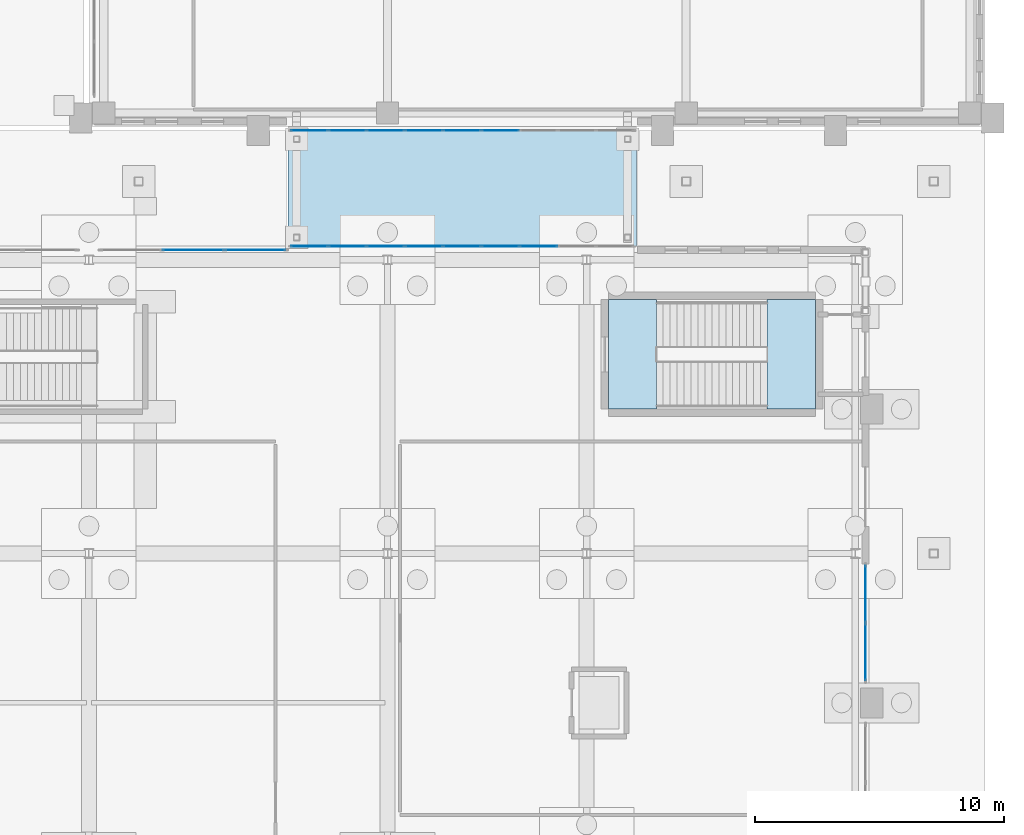
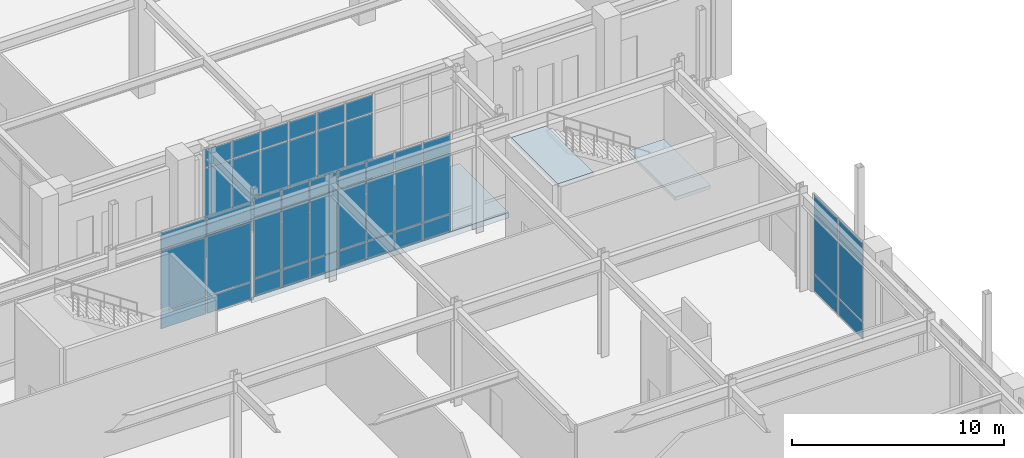
# One storey, part 94 of 143: 51 plates, 3 slabs, 5 elements without a shape of their own.
"""IFC4 building model written with IfcOpenShell, lengths in metres."""

from ifc_helpers import new_model, si_unit, derived_unit, direction, frame, origin, origin_2d, place, context, subcontext, project, spatial, polyline, rectangle, outline, extrude, material, layer, layer_set, type_object, element, aggregate, save


model = new_model("IFC4")

# Units and contexts
model_context = context("Model", 3, precision=1e-05, world=origin(), true_north=direction((0.0, 1.0)))
body_context = subcontext(model_context, "Body", "Model", "MODEL_VIEW")
ifc_project = project(units=[si_unit("LENGTHUNIT", "METRE"), si_unit("AREAUNIT", "SQUARE_METRE"), si_unit("VOLUMEUNIT", "CUBIC_METRE"), si_unit("PLANEANGLEUNIT", "RADIAN"), si_unit("MASSUNIT", "GRAM", prefix="KILO"), derived_unit("THERMALTRANSMITTANCEUNIT", [(si_unit("MASSUNIT", "GRAM", prefix="KILO"), 1), (si_unit("TIMEUNIT", "SECOND"), -3), (si_unit("THERMODYNAMICTEMPERATUREUNIT", "KELVIN"), -1)])], contexts=[model_context])

# Site, building, storey
site_placement = place(None, origin())
site = spatial("IfcSite", under=ifc_project, at=site_placement, CompositionType="ELEMENT")
building_placement = place(site_placement, origin())
building = spatial("IfcBuilding", under=site, at=building_placement, Name="Valcora Ridge Arena", CompositionType="ELEMENT")
storey_placement = place(building_placement, origin())
storey = spatial("IfcBuildingStorey", under=building, at=storey_placement, Name="L00", CompositionType="ELEMENT", Elevation=0.0)

# Stair, slabs
ifc_material_1 = material(Name="Concrete C40/50", Category="concrete")
stair_type = type_object("IfcStairType", Name="TY-STAIR-ST12-60", PredefinedType="HALF_TURN_STAIR", material=ifc_material_1)
stair_placement = place(storey_placement, origin())
stair = element("IfcStair", 1, at=stair_placement, inside=storey, type_object=stair_type, Name="ST12-60 STR-CR-0047", PredefinedType="HALF_TURN_STAIR")
ifc_layer_1 = layer(ifc_material_1, 0.199951171875, Name="Concrete C40/50")
ifc_layer_set_1 = layer_set([ifc_layer_1], Name="Concrete C40/50")
slab_type_1 = type_object("IfcSlabType", Name="TY-LAND-ST12-60", PredefinedType="LANDING", material=ifc_layer_set_1)
slab_1_placement = place(storey_placement, frame((0.0, 0.0, 2.800048828125)))
slab_1 = element("IfcSlab", 2, at=slab_1_placement, type_object=slab_type_1, Name="ST12-60 landing 1", PredefinedType="LANDING", context=body_context, shape_type="SweptSolid", body=[
    extrude(outline(polyline([(183.25, 71.802001953125), (185.197998046875, 71.802001953125), (185.197998046875, 76.197998046875), (183.25, 76.197998046875), (183.25, 71.802001953125)])), origin(), (0.0, 0.0, 1.0), 0.199951171875),
])
slab_2_placement = place(storey_placement, frame((0.0, 0.0, 5.800048828125)))
slab_2 = element("IfcSlab", 3, at=slab_2_placement, type_object=slab_type_1, Name="ST12-60 landing 2", PredefinedType="LANDING", context=body_context, shape_type="SweptSolid", body=[
    extrude(outline(polyline([(176.882080078125, 71.802001953125), (178.81005859375, 71.802001953125), (178.81005859375, 76.197998046875), (176.882080078125, 76.197998046875), (176.882080078125, 71.802001953125)])), origin(), (0.0, 0.0, 1.0), 0.199951171875),
])
aggregate(stair, [slab_1, slab_2])

# Curtain wall, plate
ifc_material_2 = material(Name="Anodised dark bronze architectural aluminium 6063-T6", Category="aluminium")
ifc_layer_2 = layer(ifc_material_2, 0.14990234375, Name="Anodised dark bronze architectural aluminium 6063-T6")
ifc_layer_set_2 = layer_set([ifc_layer_2], Name="Anodised dark bronze architectural aluminium 6063-T6")
curtain_wall_type_1 = type_object("IfcCurtainWallType", Name="TY-CURTAINWALL-CW-BRG-138X57", PredefinedType="NOTDEFINED", material=ifc_layer_set_2)
curtain_wall_1_placement = place(storey_placement, origin())
curtain_wall_1 = element("IfcCurtainWall", 4, at=curtain_wall_1_placement, inside=storey, type_object=curtain_wall_type_1, Name="CW-BRG-138X57 CW-0354", PredefinedType="NOTDEFINED")
ifc_material_3 = material(Name="Low-iron solar-control double glazing SHGC 0.28", Category="glass")
ifc_layer_3 = layer(ifc_material_3, 0.028076171875, Name="Low-iron solar-control double glazing SHGC 0.28")
ifc_layer_set_3 = layer_set([ifc_layer_3], Name="Low-iron solar-control double glazing SHGC 0.28")
plate_type_1 = type_object("IfcPlateType", Name="TY-PLT-CWP-1463X0975", PredefinedType="CURTAIN_PANEL", material=ifc_layer_set_3)
plate_1_placement = place(storey_placement, frame((164.861572265625, 78.35009765625, 0.050048828125), z_axis=(0.0, 0.0, 1.0), x_axis=(1.0, 0.0, 0.0)))
plate_1 = element("IfcPlate", 5, at=plate_1_placement, type_object=plate_type_1, Name="CW-0354/P00-00", PredefinedType="CURTAIN_PANEL", context=body_context, shape_type="SweptSolid", body=[
    extrude(rectangle(XDim=1.462890625, YDim=0.028076171875, at=origin_2d()), origin(), (0.0, 0.0, 1.0), 0.97509765625),
])

curtain_wall_2_placement = place(storey_placement, origin())
curtain_wall_2 = element("IfcCurtainWall", 6, at=curtain_wall_2_placement, inside=storey, type_object=curtain_wall_type_1, Name="CW-BRG-138X57 CW-0355", PredefinedType="NOTDEFINED")
plate_2_placement = place(storey_placement, frame((164.861572265625, 83.0, 0.050048828125), z_axis=(0.0, 0.0, 1.0), x_axis=(1.0, 0.0, 0.0)))
plate_2 = element("IfcPlate", 7, at=plate_2_placement, type_object=plate_type_1, Name="CW-0355/P00-00", PredefinedType="CURTAIN_PANEL", context=body_context, shape_type="SweptSolid", body=[
    extrude(rectangle(XDim=1.462890625, YDim=0.028076171875, at=origin_2d()), origin(), (0.0, 0.0, 1.0), 0.97509765625),
])

# Plate
ifc_layer_4 = layer(ifc_material_3, 0.028076171875, Name="Low-iron solar-control double glazing SHGC 0.28")
ifc_layer_set_4 = layer_set([ifc_layer_4], Name="Low-iron solar-control double glazing SHGC 0.28")
plate_type_2 = type_object("IfcPlateType", Name="TY-PLT-CWP-1463X1025", PredefinedType="CURTAIN_PANEL", material=ifc_layer_set_4)
plate_3_placement = place(storey_placement, frame((164.861572265625, 78.35009765625, 4.60498046875), z_axis=(0.0, 0.0, 1.0), x_axis=(1.0, 0.0, 0.0)))
plate_3 = element("IfcPlate", 8, at=plate_3_placement, type_object=plate_type_2, Name="CW-0354/P00-02", PredefinedType="CURTAIN_PANEL", context=body_context, shape_type="SweptSolid", body=[
    extrude(rectangle(XDim=1.462890625, YDim=0.028076171875, at=origin_2d()), origin(), (0.0, 0.0, 1.0), 1.02490234375),
])

plate_4_placement = place(storey_placement, frame((164.861572265625, 83.0, 4.60498046875), z_axis=(0.0, 0.0, 1.0), x_axis=(1.0, 0.0, 0.0)))
plate_4 = element("IfcPlate", 9, at=plate_4_placement, type_object=plate_type_2, Name="CW-0355/P00-02", PredefinedType="CURTAIN_PANEL", context=body_context, shape_type="SweptSolid", body=[
    extrude(rectangle(XDim=1.462890625, YDim=0.028076171875, at=origin_2d()), origin(), (0.0, 0.0, 1.0), 1.02490234375),
])

ifc_layer_5 = layer(ifc_material_3, 0.028076171875, Name="Low-iron solar-control double glazing SHGC 0.28")
ifc_layer_set_5 = layer_set([ifc_layer_5], Name="Low-iron solar-control double glazing SHGC 0.28")
plate_type_3 = type_object("IfcPlateType", Name="TY-PLT-CWP-1463X3480", PredefinedType="CURTAIN_PANEL", material=ifc_layer_set_5)
plate_5_placement = place(storey_placement, frame((164.861572265625, 78.35009765625, 1.074951171875), z_axis=(0.0, 0.0, 1.0), x_axis=(1.0, 0.0, 0.0)))
plate_5 = element("IfcPlate", 10, at=plate_5_placement, type_object=plate_type_3, Name="CW-0354/P00-01", PredefinedType="CURTAIN_PANEL", context=body_context, shape_type="SweptSolid", body=[
    extrude(rectangle(XDim=1.462890625, YDim=0.028076171875, at=origin_2d()), origin(), (0.0, 0.0, 1.0), 3.47998046875),
])

plate_6_placement = place(storey_placement, frame((164.861572265625, 83.0, 1.074951171875), z_axis=(0.0, 0.0, 1.0), x_axis=(1.0, 0.0, 0.0)))
plate_6 = element("IfcPlate", 11, at=plate_6_placement, type_object=plate_type_3, Name="CW-0355/P00-01", PredefinedType="CURTAIN_PANEL", context=body_context, shape_type="SweptSolid", body=[
    extrude(rectangle(XDim=1.462890625, YDim=0.028076171875, at=origin_2d()), origin(), (0.0, 0.0, 1.0), 3.47998046875),
])

ifc_layer_6 = layer(ifc_material_3, 0.028076171875, Name="Low-iron solar-control double glazing SHGC 0.28")
ifc_layer_set_6 = layer_set([ifc_layer_6], Name="Low-iron solar-control double glazing SHGC 0.28")
plate_type_4 = type_object("IfcPlateType", Name="TY-PLT-CWP-1487X0975", PredefinedType="CURTAIN_PANEL", material=ifc_layer_set_6)
plate_7_placement = place(storey_placement, frame((167.924560546875, 78.35009765625, 0.050048828125), z_axis=(0.0, 0.0, 1.0), x_axis=(1.0, 0.0, 0.0)))
plate_7 = element("IfcPlate", 12, at=plate_7_placement, type_object=plate_type_4, Name="CW-0354/P02-00", PredefinedType="CURTAIN_PANEL", context=body_context, shape_type="SweptSolid", body=[
    extrude(rectangle(XDim=1.487060546875, YDim=0.028076171875, at=origin_2d()), origin(), (0.0, 0.0, 1.0), 0.97509765625),
])

plate_8_placement = place(storey_placement, frame((174.075439453125, 78.35009765625, 0.050048828125), z_axis=(0.0, 0.0, 1.0), x_axis=(1.0, 0.0, 0.0)))
plate_8 = element("IfcPlate", 13, at=plate_8_placement, type_object=plate_type_4, Name="CW-0354/P06-00", PredefinedType="CURTAIN_PANEL", context=body_context, shape_type="SweptSolid", body=[
    extrude(rectangle(XDim=1.487060546875, YDim=0.028076171875, at=origin_2d()), origin(), (0.0, 0.0, 1.0), 0.97509765625),
])

plate_9_placement = place(storey_placement, frame((167.924560546875, 83.0, 0.050048828125), z_axis=(0.0, 0.0, 1.0), x_axis=(1.0, 0.0, 0.0)))
plate_9 = element("IfcPlate", 14, at=plate_9_placement, type_object=plate_type_4, Name="CW-0355/P02-00", PredefinedType="CURTAIN_PANEL", context=body_context, shape_type="SweptSolid", body=[
    extrude(rectangle(XDim=1.487060546875, YDim=0.028076171875, at=origin_2d()), origin(), (0.0, 0.0, 1.0), 0.97509765625),
])

ifc_layer_7 = layer(ifc_material_3, 0.028076171875, Name="Low-iron solar-control double glazing SHGC 0.28")
ifc_layer_set_7 = layer_set([ifc_layer_7], Name="Low-iron solar-control double glazing SHGC 0.28")
plate_type_5 = type_object("IfcPlateType", Name="TY-PLT-CWP-1487X1025", PredefinedType="CURTAIN_PANEL", material=ifc_layer_set_7)
plate_10_placement = place(storey_placement, frame((167.924560546875, 78.35009765625, 4.60498046875), z_axis=(0.0, 0.0, 1.0), x_axis=(1.0, 0.0, 0.0)))
plate_10 = element("IfcPlate", 15, at=plate_10_placement, type_object=plate_type_5, Name="CW-0354/P02-02", PredefinedType="CURTAIN_PANEL", context=body_context, shape_type="SweptSolid", body=[
    extrude(rectangle(XDim=1.487060546875, YDim=0.028076171875, at=origin_2d()), origin(), (0.0, 0.0, 1.0), 1.02490234375),
])

plate_11_placement = place(storey_placement, frame((174.075439453125, 78.35009765625, 4.60498046875), z_axis=(0.0, 0.0, 1.0), x_axis=(1.0, 0.0, 0.0)))
plate_11 = element("IfcPlate", 16, at=plate_11_placement, type_object=plate_type_5, Name="CW-0354/P06-02", PredefinedType="CURTAIN_PANEL", context=body_context, shape_type="SweptSolid", body=[
    extrude(rectangle(XDim=1.487060546875, YDim=0.028076171875, at=origin_2d()), origin(), (0.0, 0.0, 1.0), 1.02490234375),
])

plate_12_placement = place(storey_placement, frame((167.924560546875, 83.0, 4.60498046875), z_axis=(0.0, 0.0, 1.0), x_axis=(1.0, 0.0, 0.0)))
plate_12 = element("IfcPlate", 17, at=plate_12_placement, type_object=plate_type_5, Name="CW-0355/P02-02", PredefinedType="CURTAIN_PANEL", context=body_context, shape_type="SweptSolid", body=[
    extrude(rectangle(XDim=1.487060546875, YDim=0.028076171875, at=origin_2d()), origin(), (0.0, 0.0, 1.0), 1.02490234375),
])

ifc_layer_8 = layer(ifc_material_3, 0.028076171875, Name="Low-iron solar-control double glazing SHGC 0.28")
ifc_layer_set_8 = layer_set([ifc_layer_8], Name="Low-iron solar-control double glazing SHGC 0.28")
plate_type_6 = type_object("IfcPlateType", Name="TY-PLT-CWP-1487X3480", PredefinedType="CURTAIN_PANEL", material=ifc_layer_set_8)
plate_13_placement = place(storey_placement, frame((167.924560546875, 78.35009765625, 1.074951171875), z_axis=(0.0, 0.0, 1.0), x_axis=(1.0, 0.0, 0.0)))
plate_13 = element("IfcPlate", 18, at=plate_13_placement, type_object=plate_type_6, Name="CW-0354/P02-01", PredefinedType="CURTAIN_PANEL", context=body_context, shape_type="SweptSolid", body=[
    extrude(rectangle(XDim=1.487060546875, YDim=0.028076171875, at=origin_2d()), origin(), (0.0, 0.0, 1.0), 3.47998046875),
])

plate_14_placement = place(storey_placement, frame((174.075439453125, 78.35009765625, 1.074951171875), z_axis=(0.0, 0.0, 1.0), x_axis=(1.0, 0.0, 0.0)))
plate_14 = element("IfcPlate", 19, at=plate_14_placement, type_object=plate_type_6, Name="CW-0354/P06-01", PredefinedType="CURTAIN_PANEL", context=body_context, shape_type="SweptSolid", body=[
    extrude(rectangle(XDim=1.487060546875, YDim=0.028076171875, at=origin_2d()), origin(), (0.0, 0.0, 1.0), 3.47998046875),
])

plate_15_placement = place(storey_placement, frame((167.924560546875, 83.0, 1.074951171875), z_axis=(0.0, 0.0, 1.0), x_axis=(1.0, 0.0, 0.0)))
plate_15 = element("IfcPlate", 20, at=plate_15_placement, type_object=plate_type_6, Name="CW-0355/P02-01", PredefinedType="CURTAIN_PANEL", context=body_context, shape_type="SweptSolid", body=[
    extrude(rectangle(XDim=1.487060546875, YDim=0.028076171875, at=origin_2d()), origin(), (0.0, 0.0, 1.0), 3.47998046875),
])

ifc_layer_9 = layer(ifc_material_3, 0.028076171875, Name="Low-iron solar-control double glazing SHGC 0.28")
ifc_layer_set_9 = layer_set([ifc_layer_9], Name="Low-iron solar-control double glazing SHGC 0.28")
plate_type_7 = type_object("IfcPlateType", Name="TY-PLT-CWP-1488X0975", PredefinedType="CURTAIN_PANEL", material=ifc_layer_set_9)
plate_16_placement = place(storey_placement, frame((166.386962890625, 78.35009765625, 0.050048828125), z_axis=(0.0, 0.0, 1.0), x_axis=(1.0, 0.0, 0.0)))
plate_16 = element("IfcPlate", 21, at=plate_16_placement, type_object=plate_type_7, Name="CW-0354/P01-00", PredefinedType="CURTAIN_PANEL", context=body_context, shape_type="SweptSolid", body=[
    extrude(rectangle(XDim=1.488037109375, YDim=0.028076171875, at=origin_2d()), origin(), (0.0, 0.0, 1.0), 0.97509765625),
])

plate_17_placement = place(storey_placement, frame((169.4619140625, 78.35009765625, 0.050048828125), z_axis=(0.0, 0.0, 1.0), x_axis=(1.0, 0.0, 0.0)))
plate_17 = element("IfcPlate", 22, at=plate_17_placement, type_object=plate_type_7, Name="CW-0354/P03-00", PredefinedType="CURTAIN_PANEL", context=body_context, shape_type="SweptSolid", body=[
    extrude(rectangle(XDim=1.488037109375, YDim=0.028076171875, at=origin_2d()), origin(), (0.0, 0.0, 1.0), 0.97509765625),
])

plate_18_placement = place(storey_placement, frame((171.0, 78.35009765625, 0.050048828125), z_axis=(0.0, 0.0, 1.0), x_axis=(1.0, 0.0, 0.0)))
plate_18 = element("IfcPlate", 23, at=plate_18_placement, type_object=plate_type_7, Name="CW-0354/P04-00", PredefinedType="CURTAIN_PANEL", context=body_context, shape_type="SweptSolid", body=[
    extrude(rectangle(XDim=1.488037109375, YDim=0.028076171875, at=origin_2d()), origin(), (0.0, 0.0, 1.0), 0.97509765625),
])

plate_19_placement = place(storey_placement, frame((172.5380859375, 78.35009765625, 0.050048828125), z_axis=(0.0, 0.0, 1.0), x_axis=(1.0, 0.0, 0.0)))
plate_19 = element("IfcPlate", 24, at=plate_19_placement, type_object=plate_type_7, Name="CW-0354/P05-00", PredefinedType="CURTAIN_PANEL", context=body_context, shape_type="SweptSolid", body=[
    extrude(rectangle(XDim=1.488037109375, YDim=0.028076171875, at=origin_2d()), origin(), (0.0, 0.0, 1.0), 0.97509765625),
])

plate_20_placement = place(storey_placement, frame((166.386962890625, 83.0, 0.050048828125), z_axis=(0.0, 0.0, 1.0), x_axis=(1.0, 0.0, 0.0)))
plate_20 = element("IfcPlate", 25, at=plate_20_placement, type_object=plate_type_7, Name="CW-0355/P01-00", PredefinedType="CURTAIN_PANEL", context=body_context, shape_type="SweptSolid", body=[
    extrude(rectangle(XDim=1.488037109375, YDim=0.028076171875, at=origin_2d()), origin(), (0.0, 0.0, 1.0), 0.97509765625),
])

plate_21_placement = place(storey_placement, frame((169.4619140625, 83.0, 0.050048828125), z_axis=(0.0, 0.0, 1.0), x_axis=(1.0, 0.0, 0.0)))
plate_21 = element("IfcPlate", 26, at=plate_21_placement, type_object=plate_type_7, Name="CW-0355/P03-00", PredefinedType="CURTAIN_PANEL", context=body_context, shape_type="SweptSolid", body=[
    extrude(rectangle(XDim=1.488037109375, YDim=0.028076171875, at=origin_2d()), origin(), (0.0, 0.0, 1.0), 0.97509765625),
])

plate_22_placement = place(storey_placement, frame((171.0, 83.0, 0.050048828125), z_axis=(0.0, 0.0, 1.0), x_axis=(1.0, 0.0, 0.0)))
plate_22 = element("IfcPlate", 27, at=plate_22_placement, type_object=plate_type_7, Name="CW-0355/P04-00", PredefinedType="CURTAIN_PANEL", context=body_context, shape_type="SweptSolid", body=[
    extrude(rectangle(XDim=1.488037109375, YDim=0.028076171875, at=origin_2d()), origin(), (0.0, 0.0, 1.0), 0.97509765625),
])

plate_23_placement = place(storey_placement, frame((172.5380859375, 83.0, 0.050048828125), z_axis=(0.0, 0.0, 1.0), x_axis=(1.0, 0.0, 0.0)))
plate_23 = element("IfcPlate", 28, at=plate_23_placement, type_object=plate_type_7, Name="CW-0355/P05-00", PredefinedType="CURTAIN_PANEL", context=body_context, shape_type="SweptSolid", body=[
    extrude(rectangle(XDim=1.488037109375, YDim=0.028076171875, at=origin_2d()), origin(), (0.0, 0.0, 1.0), 0.97509765625),
])

ifc_layer_10 = layer(ifc_material_3, 0.028076171875, Name="Low-iron solar-control double glazing SHGC 0.28")
ifc_layer_set_10 = layer_set([ifc_layer_10], Name="Low-iron solar-control double glazing SHGC 0.28")
plate_type_8 = type_object("IfcPlateType", Name="TY-PLT-CWP-1488X1025", PredefinedType="CURTAIN_PANEL", material=ifc_layer_set_10)
plate_24_placement = place(storey_placement, frame((166.386962890625, 78.35009765625, 4.60498046875), z_axis=(0.0, 0.0, 1.0), x_axis=(1.0, 0.0, 0.0)))
plate_24 = element("IfcPlate", 29, at=plate_24_placement, type_object=plate_type_8, Name="CW-0354/P01-02", PredefinedType="CURTAIN_PANEL", context=body_context, shape_type="SweptSolid", body=[
    extrude(rectangle(XDim=1.488037109375, YDim=0.028076171875, at=origin_2d()), origin(), (0.0, 0.0, 1.0), 1.02490234375),
])

plate_25_placement = place(storey_placement, frame((169.4619140625, 78.35009765625, 4.60498046875), z_axis=(0.0, 0.0, 1.0), x_axis=(1.0, 0.0, 0.0)))
plate_25 = element("IfcPlate", 30, at=plate_25_placement, type_object=plate_type_8, Name="CW-0354/P03-02", PredefinedType="CURTAIN_PANEL", context=body_context, shape_type="SweptSolid", body=[
    extrude(rectangle(XDim=1.488037109375, YDim=0.028076171875, at=origin_2d()), origin(), (0.0, 0.0, 1.0), 1.02490234375),
])

plate_26_placement = place(storey_placement, frame((171.0, 78.35009765625, 4.60498046875), z_axis=(0.0, 0.0, 1.0), x_axis=(1.0, 0.0, 0.0)))
plate_26 = element("IfcPlate", 31, at=plate_26_placement, type_object=plate_type_8, Name="CW-0354/P04-02", PredefinedType="CURTAIN_PANEL", context=body_context, shape_type="SweptSolid", body=[
    extrude(rectangle(XDim=1.488037109375, YDim=0.028076171875, at=origin_2d()), origin(), (0.0, 0.0, 1.0), 1.02490234375),
])

plate_27_placement = place(storey_placement, frame((172.5380859375, 78.35009765625, 4.60498046875), z_axis=(0.0, 0.0, 1.0), x_axis=(1.0, 0.0, 0.0)))
plate_27 = element("IfcPlate", 32, at=plate_27_placement, type_object=plate_type_8, Name="CW-0354/P05-02", PredefinedType="CURTAIN_PANEL", context=body_context, shape_type="SweptSolid", body=[
    extrude(rectangle(XDim=1.488037109375, YDim=0.028076171875, at=origin_2d()), origin(), (0.0, 0.0, 1.0), 1.02490234375),
])

plate_28_placement = place(storey_placement, frame((166.386962890625, 83.0, 4.60498046875), z_axis=(0.0, 0.0, 1.0), x_axis=(1.0, 0.0, 0.0)))
plate_28 = element("IfcPlate", 33, at=plate_28_placement, type_object=plate_type_8, Name="CW-0355/P01-02", PredefinedType="CURTAIN_PANEL", context=body_context, shape_type="SweptSolid", body=[
    extrude(rectangle(XDim=1.488037109375, YDim=0.028076171875, at=origin_2d()), origin(), (0.0, 0.0, 1.0), 1.02490234375),
])

plate_29_placement = place(storey_placement, frame((169.4619140625, 83.0, 4.60498046875), z_axis=(0.0, 0.0, 1.0), x_axis=(1.0, 0.0, 0.0)))
plate_29 = element("IfcPlate", 34, at=plate_29_placement, type_object=plate_type_8, Name="CW-0355/P03-02", PredefinedType="CURTAIN_PANEL", context=body_context, shape_type="SweptSolid", body=[
    extrude(rectangle(XDim=1.488037109375, YDim=0.028076171875, at=origin_2d()), origin(), (0.0, 0.0, 1.0), 1.02490234375),
])

plate_30_placement = place(storey_placement, frame((171.0, 83.0, 4.60498046875), z_axis=(0.0, 0.0, 1.0), x_axis=(1.0, 0.0, 0.0)))
plate_30 = element("IfcPlate", 35, at=plate_30_placement, type_object=plate_type_8, Name="CW-0355/P04-02", PredefinedType="CURTAIN_PANEL", context=body_context, shape_type="SweptSolid", body=[
    extrude(rectangle(XDim=1.488037109375, YDim=0.028076171875, at=origin_2d()), origin(), (0.0, 0.0, 1.0), 1.02490234375),
])

plate_31_placement = place(storey_placement, frame((172.5380859375, 83.0, 4.60498046875), z_axis=(0.0, 0.0, 1.0), x_axis=(1.0, 0.0, 0.0)))
plate_31 = element("IfcPlate", 36, at=plate_31_placement, type_object=plate_type_8, Name="CW-0355/P05-02", PredefinedType="CURTAIN_PANEL", context=body_context, shape_type="SweptSolid", body=[
    extrude(rectangle(XDim=1.488037109375, YDim=0.028076171875, at=origin_2d()), origin(), (0.0, 0.0, 1.0), 1.02490234375),
])

ifc_layer_11 = layer(ifc_material_3, 0.028076171875, Name="Low-iron solar-control double glazing SHGC 0.28")
ifc_layer_set_11 = layer_set([ifc_layer_11], Name="Low-iron solar-control double glazing SHGC 0.28")
plate_type_9 = type_object("IfcPlateType", Name="TY-PLT-CWP-1488X3480", PredefinedType="CURTAIN_PANEL", material=ifc_layer_set_11)
plate_32_placement = place(storey_placement, frame((166.386962890625, 78.35009765625, 1.074951171875), z_axis=(0.0, 0.0, 1.0), x_axis=(1.0, 0.0, 0.0)))
plate_32 = element("IfcPlate", 37, at=plate_32_placement, type_object=plate_type_9, Name="CW-0354/P01-01", PredefinedType="CURTAIN_PANEL", context=body_context, shape_type="SweptSolid", body=[
    extrude(rectangle(XDim=1.488037109375, YDim=0.028076171875, at=origin_2d()), origin(), (0.0, 0.0, 1.0), 3.47998046875),
])

plate_33_placement = place(storey_placement, frame((169.4619140625, 78.35009765625, 1.074951171875), z_axis=(0.0, 0.0, 1.0), x_axis=(1.0, 0.0, 0.0)))
plate_33 = element("IfcPlate", 38, at=plate_33_placement, type_object=plate_type_9, Name="CW-0354/P03-01", PredefinedType="CURTAIN_PANEL", context=body_context, shape_type="SweptSolid", body=[
    extrude(rectangle(XDim=1.488037109375, YDim=0.028076171875, at=origin_2d()), origin(), (0.0, 0.0, 1.0), 3.47998046875),
])

plate_34_placement = place(storey_placement, frame((171.0, 78.35009765625, 1.074951171875), z_axis=(0.0, 0.0, 1.0), x_axis=(1.0, 0.0, 0.0)))
plate_34 = element("IfcPlate", 39, at=plate_34_placement, type_object=plate_type_9, Name="CW-0354/P04-01", PredefinedType="CURTAIN_PANEL", context=body_context, shape_type="SweptSolid", body=[
    extrude(rectangle(XDim=1.488037109375, YDim=0.028076171875, at=origin_2d()), origin(), (0.0, 0.0, 1.0), 3.47998046875),
])

plate_35_placement = place(storey_placement, frame((172.5380859375, 78.35009765625, 1.074951171875), z_axis=(0.0, 0.0, 1.0), x_axis=(1.0, 0.0, 0.0)))
plate_35 = element("IfcPlate", 40, at=plate_35_placement, type_object=plate_type_9, Name="CW-0354/P05-01", PredefinedType="CURTAIN_PANEL", context=body_context, shape_type="SweptSolid", body=[
    extrude(rectangle(XDim=1.488037109375, YDim=0.028076171875, at=origin_2d()), origin(), (0.0, 0.0, 1.0), 3.47998046875),
])

aggregate(curtain_wall_1, [plate_1, plate_5, plate_3, plate_16, plate_32, plate_24, plate_7, plate_13, plate_10, plate_17, plate_33, plate_25, plate_18, plate_34, plate_26, plate_19, plate_35, plate_27, plate_8, plate_14, plate_11])

plate_36_placement = place(storey_placement, frame((166.386962890625, 83.0, 1.074951171875), z_axis=(0.0, 0.0, 1.0), x_axis=(1.0, 0.0, 0.0)))
plate_36 = element("IfcPlate", 41, at=plate_36_placement, type_object=plate_type_9, Name="CW-0355/P01-01", PredefinedType="CURTAIN_PANEL", context=body_context, shape_type="SweptSolid", body=[
    extrude(rectangle(XDim=1.488037109375, YDim=0.028076171875, at=origin_2d()), origin(), (0.0, 0.0, 1.0), 3.47998046875),
])

plate_37_placement = place(storey_placement, frame((169.4619140625, 83.0, 1.074951171875), z_axis=(0.0, 0.0, 1.0), x_axis=(1.0, 0.0, 0.0)))
plate_37 = element("IfcPlate", 42, at=plate_37_placement, type_object=plate_type_9, Name="CW-0355/P03-01", PredefinedType="CURTAIN_PANEL", context=body_context, shape_type="SweptSolid", body=[
    extrude(rectangle(XDim=1.488037109375, YDim=0.028076171875, at=origin_2d()), origin(), (0.0, 0.0, 1.0), 3.47998046875),
])

plate_38_placement = place(storey_placement, frame((171.0, 83.0, 1.074951171875), z_axis=(0.0, 0.0, 1.0), x_axis=(1.0, 0.0, 0.0)))
plate_38 = element("IfcPlate", 43, at=plate_38_placement, type_object=plate_type_9, Name="CW-0355/P04-01", PredefinedType="CURTAIN_PANEL", context=body_context, shape_type="SweptSolid", body=[
    extrude(rectangle(XDim=1.488037109375, YDim=0.028076171875, at=origin_2d()), origin(), (0.0, 0.0, 1.0), 3.47998046875),
])

plate_39_placement = place(storey_placement, frame((172.5380859375, 83.0, 1.074951171875), z_axis=(0.0, 0.0, 1.0), x_axis=(1.0, 0.0, 0.0)))
plate_39 = element("IfcPlate", 44, at=plate_39_placement, type_object=plate_type_9, Name="CW-0355/P05-01", PredefinedType="CURTAIN_PANEL", context=body_context, shape_type="SweptSolid", body=[
    extrude(rectangle(XDim=1.488037109375, YDim=0.028076171875, at=origin_2d()), origin(), (0.0, 0.0, 1.0), 3.47998046875),
])

aggregate(curtain_wall_2, [plate_2, plate_6, plate_4, plate_20, plate_36, plate_28, plate_9, plate_15, plate_12, plate_21, plate_37, plate_29, plate_22, plate_38, plate_30, plate_23, plate_39, plate_31])

# Curtain wall, plates
ifc_layer_12 = layer(ifc_material_2, 0.179931640625, Name="Anodised dark bronze architectural aluminium 6063-T6")
ifc_layer_set_12 = layer_set([ifc_layer_12], Name="Anodised dark bronze architectural aluminium 6063-T6")
curtain_wall_type_2 = type_object("IfcCurtainWallType", Name="TY-CURTAINWALL-CW-V2-GLAZ-047X56", PredefinedType="NOTDEFINED", material=ifc_layer_set_12)
curtain_wall_3_placement = place(storey_placement, origin())
curtain_wall_3 = element("IfcCurtainWall", 45, at=curtain_wall_3_placement, inside=storey, type_object=curtain_wall_type_2, Name="CW-V2-GLAZ-047X56 CW-0035", PredefinedType="NOTDEFINED")
ifc_layer_13 = layer(ifc_material_3, 0.028076171875, Name="Low-iron solar-control double glazing SHGC 0.28")
ifc_layer_set_13 = layer_set([ifc_layer_13], Name="Low-iron solar-control double glazing SHGC 0.28")
plate_type_10 = type_object("IfcPlateType", Name="TY-PLT-CWP-2274X0975", PredefinedType="CURTAIN_PANEL", material=ifc_layer_set_13)
plate_40_placement = place(storey_placement, frame((187.199951171875, 62.037109375, 0.050048828125), z_axis=(0.0, 0.0, 1.0), x_axis=(0.0, 1.0, 0.0)))
plate_40 = element("IfcPlate", 46, at=plate_40_placement, type_object=plate_type_10, Name="CW-0035/P00-00", PredefinedType="CURTAIN_PANEL", context=body_context, shape_type="SweptSolid", body=[
    extrude(rectangle(XDim=2.27392578125, YDim=0.028076171875, at=origin_2d()), origin(), (0.0, 0.0, 1.0), 0.97509765625),
])
plate_41_placement = place(storey_placement, frame((187.199951171875, 64.3701171875, 0.050048828125), z_axis=(0.0, 0.0, 1.0), x_axis=(0.0, 1.0, 0.0)))
plate_41 = element("IfcPlate", 47, at=plate_41_placement, type_object=plate_type_10, Name="CW-0035/P01-00", PredefinedType="CURTAIN_PANEL", context=body_context, shape_type="SweptSolid", body=[
    extrude(rectangle(XDim=2.27392578125, YDim=0.028076171875, at=origin_2d()), origin(), (0.0, 0.0, 1.0), 0.97509765625),
])
ifc_layer_14 = layer(ifc_material_3, 0.028076171875, Name="Low-iron solar-control double glazing SHGC 0.28")
ifc_layer_set_14 = layer_set([ifc_layer_14], Name="Low-iron solar-control double glazing SHGC 0.28")
plate_type_11 = type_object("IfcPlateType", Name="TY-PLT-CWP-2274X1025", PredefinedType="CURTAIN_PANEL", material=ifc_layer_set_14)
plate_42_placement = place(storey_placement, frame((187.199951171875, 62.037109375, 4.545166015625), z_axis=(0.0, 0.0, 1.0), x_axis=(0.0, 1.0, 0.0)))
plate_42 = element("IfcPlate", 48, at=plate_42_placement, type_object=plate_type_11, Name="CW-0035/P00-02", PredefinedType="CURTAIN_PANEL", context=body_context, shape_type="SweptSolid", body=[
    extrude(rectangle(XDim=2.27392578125, YDim=0.028076171875, at=origin_2d()), origin(), (0.0, 0.0, 1.0), 1.02490234375),
])
plate_43_placement = place(storey_placement, frame((187.199951171875, 64.3701171875, 4.545166015625), z_axis=(0.0, 0.0, 1.0), x_axis=(0.0, 1.0, 0.0)))
plate_43 = element("IfcPlate", 49, at=plate_43_placement, type_object=plate_type_11, Name="CW-0035/P01-02", PredefinedType="CURTAIN_PANEL", context=body_context, shape_type="SweptSolid", body=[
    extrude(rectangle(XDim=2.27392578125, YDim=0.028076171875, at=origin_2d()), origin(), (0.0, 0.0, 1.0), 1.02490234375),
])
ifc_layer_15 = layer(ifc_material_3, 0.028076171875, Name="Low-iron solar-control double glazing SHGC 0.28")
ifc_layer_set_15 = layer_set([ifc_layer_15], Name="Low-iron solar-control double glazing SHGC 0.28")
plate_type_12 = type_object("IfcPlateType", Name="TY-PLT-CWP-2274X3420", PredefinedType="CURTAIN_PANEL", material=ifc_layer_set_15)
plate_44_placement = place(storey_placement, frame((187.199951171875, 62.037109375, 1.074951171875), z_axis=(0.0, 0.0, 1.0), x_axis=(0.0, 1.0, 0.0)))
plate_44 = element("IfcPlate", 50, at=plate_44_placement, type_object=plate_type_12, Name="CW-0035/P00-01", PredefinedType="CURTAIN_PANEL", context=body_context, shape_type="SweptSolid", body=[
    extrude(rectangle(XDim=2.27392578125, YDim=0.028076171875, at=origin_2d()), origin(), (0.0, 0.0, 1.0), 3.419921875),
])
plate_45_placement = place(storey_placement, frame((187.199951171875, 64.3701171875, 1.074951171875), z_axis=(0.0, 0.0, 1.0), x_axis=(0.0, 1.0, 0.0)))
plate_45 = element("IfcPlate", 51, at=plate_45_placement, type_object=plate_type_12, Name="CW-0035/P01-01", PredefinedType="CURTAIN_PANEL", context=body_context, shape_type="SweptSolid", body=[
    extrude(rectangle(XDim=2.27392578125, YDim=0.028076171875, at=origin_2d()), origin(), (0.0, 0.0, 1.0), 3.419921875),
])
aggregate(curtain_wall_3, [plate_40, plate_44, plate_42, plate_41, plate_45, plate_43])

ifc_layer_16 = layer(ifc_material_2, 0.179931640625, Name="Anodised dark bronze architectural aluminium 6063-T6")
ifc_layer_set_16 = layer_set([ifc_layer_16], Name="Anodised dark bronze architectural aluminium 6063-T6")
curtain_wall_type_3 = type_object("IfcCurtainWallType", Name="TY-CURTAINWALL-CW-V2-GLAZ-075X56", PredefinedType="NOTDEFINED", material=ifc_layer_set_16)
curtain_wall_4_placement = place(storey_placement, origin())
curtain_wall_4 = element("IfcCurtainWall", 52, at=curtain_wall_4_placement, inside=storey, type_object=curtain_wall_type_3, Name="CW-V2-GLAZ-075X56 CW-0038", PredefinedType="NOTDEFINED")
ifc_layer_17 = layer(ifc_material_3, 0.028076171875, Name="Low-iron solar-control double glazing SHGC 0.28")
ifc_layer_set_17 = layer_set([ifc_layer_17], Name="Low-iron solar-control double glazing SHGC 0.28")
plate_type_13 = type_object("IfcPlateType", Name="TY-PLT-CWP-2413X0975", PredefinedType="CURTAIN_PANEL", material=ifc_layer_set_17)
plate_46_placement = place(storey_placement, frame((162.68310546875, 78.199951171875, 0.050048828125), z_axis=(0.0, 0.0, 1.0), x_axis=(1.0, 0.0, 0.0)))
plate_46 = element("IfcPlate", 53, at=plate_46_placement, type_object=plate_type_13, Name="CW-0038/P02-00", PredefinedType="CURTAIN_PANEL", context=body_context, shape_type="SweptSolid", body=[
    extrude(rectangle(XDim=2.4130859375, YDim=0.028076171875, at=origin_2d()), origin(), (0.0, 0.0, 1.0), 0.97509765625),
])
ifc_layer_18 = layer(ifc_material_3, 0.028076171875, Name="Low-iron solar-control double glazing SHGC 0.28")
ifc_layer_set_18 = layer_set([ifc_layer_18], Name="Low-iron solar-control double glazing SHGC 0.28")
plate_type_14 = type_object("IfcPlateType", Name="TY-PLT-CWP-2413X1025", PredefinedType="CURTAIN_PANEL", material=ifc_layer_set_18)
plate_47_placement = place(storey_placement, frame((162.68310546875, 78.199951171875, 4.545166015625), z_axis=(0.0, 0.0, 1.0), x_axis=(1.0, 0.0, 0.0)))
plate_47 = element("IfcPlate", 54, at=plate_47_placement, type_object=plate_type_14, Name="CW-0038/P02-02", PredefinedType="CURTAIN_PANEL", context=body_context, shape_type="SweptSolid", body=[
    extrude(rectangle(XDim=2.4130859375, YDim=0.028076171875, at=origin_2d()), origin(), (0.0, 0.0, 1.0), 1.02490234375),
])
ifc_layer_19 = layer(ifc_material_3, 0.028076171875, Name="Low-iron solar-control double glazing SHGC 0.28")
ifc_layer_set_19 = layer_set([ifc_layer_19], Name="Low-iron solar-control double glazing SHGC 0.28")
plate_type_15 = type_object("IfcPlateType", Name="TY-PLT-CWP-2413X3420", PredefinedType="CURTAIN_PANEL", material=ifc_layer_set_19)
plate_48_placement = place(storey_placement, frame((162.68310546875, 78.199951171875, 1.074951171875), z_axis=(0.0, 0.0, 1.0), x_axis=(1.0, 0.0, 0.0)))
plate_48 = element("IfcPlate", 55, at=plate_48_placement, type_object=plate_type_15, Name="CW-0038/P02-01", PredefinedType="CURTAIN_PANEL", context=body_context, shape_type="SweptSolid", body=[
    extrude(rectangle(XDim=2.4130859375, YDim=0.028076171875, at=origin_2d()), origin(), (0.0, 0.0, 1.0), 3.419921875),
])
ifc_layer_20 = layer(ifc_material_3, 0.028076171875, Name="Low-iron solar-control double glazing SHGC 0.28")
ifc_layer_set_20 = layer_set([ifc_layer_20], Name="Low-iron solar-control double glazing SHGC 0.28")
plate_type_16 = type_object("IfcPlateType", Name="TY-PLT-CWP-2443X0975", PredefinedType="CURTAIN_PANEL", material=ifc_layer_set_20)
plate_49_placement = place(storey_placement, frame((160.195068359375, 78.199951171875, 0.050048828125), z_axis=(0.0, 0.0, 1.0), x_axis=(1.0, 0.0, 0.0)))
plate_49 = element("IfcPlate", 56, at=plate_49_placement, type_object=plate_type_16, Name="CW-0038/P01-00", PredefinedType="CURTAIN_PANEL", context=body_context, shape_type="SweptSolid", body=[
    extrude(rectangle(XDim=2.443115234375, YDim=0.028076171875, at=origin_2d()), origin(), (0.0, 0.0, 1.0), 0.97509765625),
])
ifc_layer_21 = layer(ifc_material_3, 0.028076171875, Name="Low-iron solar-control double glazing SHGC 0.28")
ifc_layer_set_21 = layer_set([ifc_layer_21], Name="Low-iron solar-control double glazing SHGC 0.28")
plate_type_17 = type_object("IfcPlateType", Name="TY-PLT-CWP-2443X1025", PredefinedType="CURTAIN_PANEL", material=ifc_layer_set_21)
plate_50_placement = place(storey_placement, frame((160.195068359375, 78.199951171875, 4.545166015625), z_axis=(0.0, 0.0, 1.0), x_axis=(1.0, 0.0, 0.0)))
plate_50 = element("IfcPlate", 57, at=plate_50_placement, type_object=plate_type_17, Name="CW-0038/P01-02", PredefinedType="CURTAIN_PANEL", context=body_context, shape_type="SweptSolid", body=[
    extrude(rectangle(XDim=2.443115234375, YDim=0.028076171875, at=origin_2d()), origin(), (0.0, 0.0, 1.0), 1.02490234375),
])
ifc_layer_22 = layer(ifc_material_3, 0.028076171875, Name="Low-iron solar-control double glazing SHGC 0.28")
ifc_layer_set_22 = layer_set([ifc_layer_22], Name="Low-iron solar-control double glazing SHGC 0.28")
plate_type_18 = type_object("IfcPlateType", Name="TY-PLT-CWP-2443X3420", PredefinedType="CURTAIN_PANEL", material=ifc_layer_set_22)
plate_51_placement = place(storey_placement, frame((160.195068359375, 78.199951171875, 1.074951171875), z_axis=(0.0, 0.0, 1.0), x_axis=(1.0, 0.0, 0.0)))
plate_51 = element("IfcPlate", 58, at=plate_51_placement, type_object=plate_type_18, Name="CW-0038/P01-01", PredefinedType="CURTAIN_PANEL", context=body_context, shape_type="SweptSolid", body=[
    extrude(rectangle(XDim=2.443115234375, YDim=0.028076171875, at=origin_2d()), origin(), (0.0, 0.0, 1.0), 3.419921875),
])
aggregate(curtain_wall_4, [plate_49, plate_51, plate_50, plate_46, plate_48, plate_47])

# Slab
ifc_layer_23 = layer(ifc_material_1, 0.320068359375, Name="Concrete C40/50")
ifc_layer_set_23 = layer_set([ifc_layer_23], Name="Concrete C40/50")
slab_type_2 = type_object("IfcSlabType", Name="TY-SLAB-SL-BRG-SJ5-L00", PredefinedType="FLOOR", material=ifc_layer_set_23)
slab_3_placement = place(storey_placement, frame((0.0, 0.0, -0.320068359375)))
element("IfcSlab", 59, at=slab_3_placement, inside=storey, type_object=slab_type_2, Name="SL-BRG-SJ5-L00 SLB-0085", PredefinedType="FLOOR", context=body_context, shape_type="SweptSolid", body=[
    extrude(outline(polyline([(178.0, 78.35009765625), (178.0, 83.0), (164.0, 83.0), (164.0, 78.35009765625), (178.0, 78.35009765625)])), origin(), (0.0, 0.0, 1.0), 0.320068359375),
])

save(model, "model.ifc")
